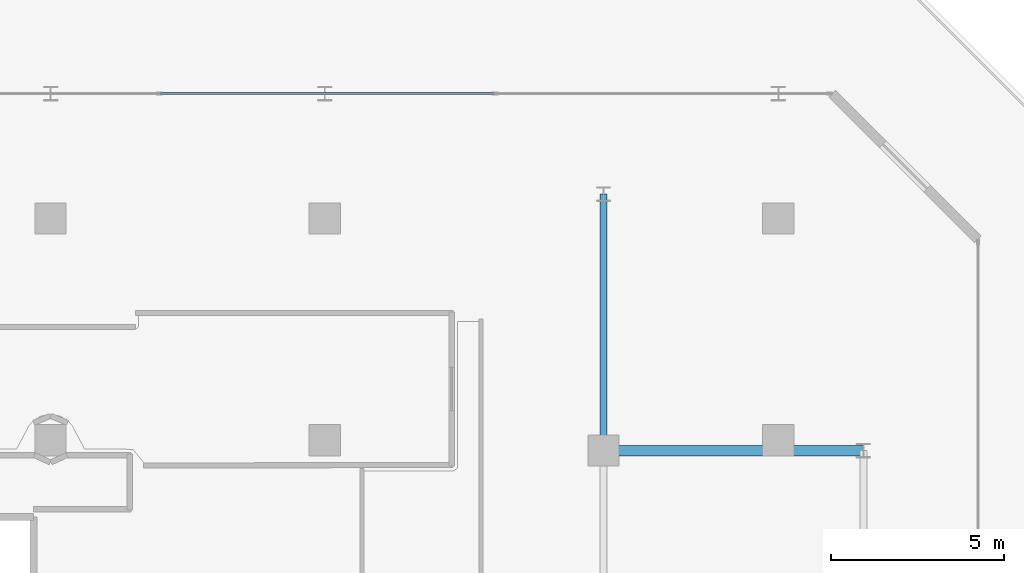
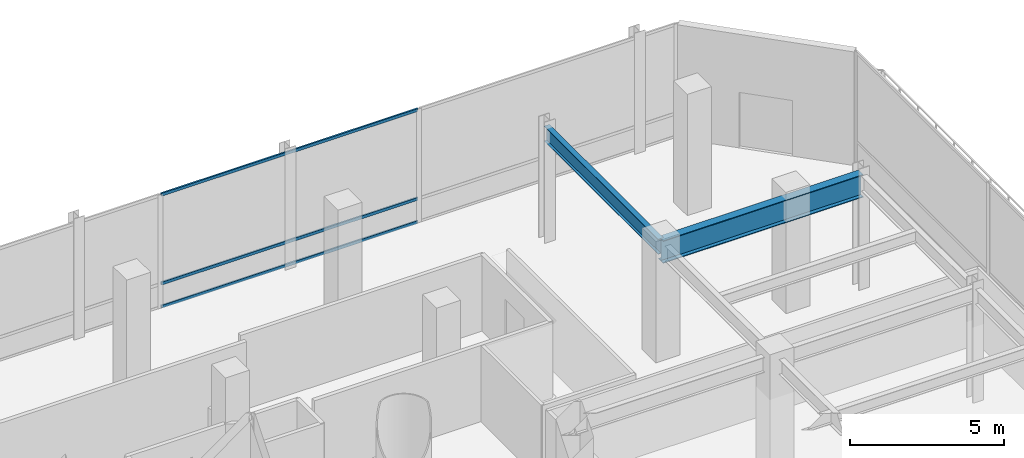
# One storey, part 19 of 39: 3 members, 2 beams, 1 element without a shape of its own.
"""IFC4 building model written with IfcOpenShell, lengths in metres."""

from ifc_helpers import new_model, si_unit, direction, frame, origin, origin_2d, place, context, subcontext, project, spatial, hollow_rectangle, i_section, extrude, material, layer, layer_set, material_profile, profile_set, type_object, element, aggregate, save


model = new_model("IFC4")

# Units and contexts
model_context = context("Model", 3, precision=1e-05, world=origin(), true_north=direction((0.0, 1.0)))
body_context = subcontext(model_context, "Body", "Model", "MODEL_VIEW")
ifc_project = project(units=[si_unit("LENGTHUNIT", "METRE"), si_unit("AREAUNIT", "SQUARE_METRE"), si_unit("VOLUMEUNIT", "CUBIC_METRE"), si_unit("PLANEANGLEUNIT", "RADIAN"), si_unit("MASSUNIT", "GRAM", prefix="KILO")], contexts=[model_context])

# Site, building, storey
site_placement = place(None, origin())
site = spatial("IfcSite", under=ifc_project, at=site_placement, CompositionType="ELEMENT")
building_placement = place(site_placement, origin())
building = spatial("IfcBuilding", under=site, at=building_placement, Name="Qianvela Tower", CompositionType="ELEMENT")
storey_placement = place(building_placement, frame((0.0, 0.0, 15.800048828125)))
storey = spatial("IfcBuildingStorey", under=building, at=storey_placement, Name="L03", CompositionType="ELEMENT", Elevation=15.800048828125)

# Beams
ifc_material_1 = material(Name="Steel Q355B", Category="steel")
ifc_material_profile_1 = material_profile(ifc_material_1, i_section(OverallWidth=0.199951171875, OverallDepth=0.60009765625, WebThickness=0.010986328125, FlangeThickness=0.01708984375, at=origin_2d()), Name="HN600x200x11x17")
ifc_profile_set_1 = profile_set([ifc_material_profile_1], Name="Steel Q355B")
beam_type_1 = type_object("IfcBeamType", Name="BM-HN600-GIRD", PredefinedType="BEAM", material=ifc_profile_set_1)
beam_1_placement = place(storey_placement, frame((60.0, 37.199951171875, 4.197998046875), z_axis=(0.0, 1.0, 0.0), x_axis=(-1.0, 0.0, 0.0)))
element("IfcBeam", 1, at=beam_1_placement, inside=storey, type_object=beam_type_1, Name="L03 North-South Grid Girder 31", PredefinedType="BEAM", context=body_context, shape_type="SweptSolid", body=[
    extrude(i_section(OverallWidth=0.199951171875, OverallDepth=0.60009765625, WebThickness=0.010986328125, FlangeThickness=0.01708984375, at=origin_2d()), origin(), (0.0, 0.0, 1.0), 7.400146484375),
])
ifc_material_2 = material(Name="Steel Q355B", Category="steel")
ifc_material_profile_2 = material_profile(ifc_material_2, i_section(OverallWidth=0.300048828125, OverallDepth=0.89990234375, WebThickness=0.01611328125, FlangeThickness=0.028076171875, at=origin_2d()), Name="HN900x300x16x28")
ifc_profile_set_2 = profile_set([ifc_material_profile_2], Name="Steel Q355B")
beam_type_2 = type_object("IfcBeamType", Name="BM-HN900-SPAND", PredefinedType="SPANDREL", material=ifc_profile_set_2)
beam_2_placement = place(storey_placement, frame((60.0, 37.199951171875, 4.0478515625), z_axis=(1.0, 0.0, 0.0), x_axis=(0.0, 1.0, 0.0)))
element("IfcBeam", 2, at=beam_2_placement, inside=storey, type_object=beam_type_2, Name="L03 East-West Grid Girder 15", PredefinedType="SPANDREL", context=body_context, shape_type="SweptSolid", body=[
    extrude(i_section(OverallWidth=0.300048828125, OverallDepth=0.89990234375, WebThickness=0.01611328125, FlangeThickness=0.028076171875, at=origin_2d()), origin(), (0.0, 0.0, 1.0), 7.5),
])

# Curtain wall, members
ifc_material_3 = material(Name="Anodised Architectural Aluminium and Low-E Glass", Category="aluminium")
ifc_layer = layer(ifc_material_3, 0.179931640625)
ifc_layer_set = layer_set([ifc_layer], Name="Anodised Architectural Aluminium and Low-E Glass")
curtain_wall_type = type_object("IfcCurtainWallType", Name="CW-COMMONS", PredefinedType="USERDEFINED", material=ifc_layer_set)
curtain_wall_placement = place(storey_placement, origin())
curtain_wall = element("IfcCurtainWall", 3, at=curtain_wall_placement, inside=storey, type_object=curtain_wall_type, Name="L03 CW-COMMONS Curtain Wall 05", ObjectType="CURTAIN_WALL_SYSTEM", PredefinedType="USERDEFINED")
ifc_material_4 = material(Name="Anodised Architectural Aluminium 6063-T6", Category="aluminium")
ifc_material_profile_3 = material_profile(ifc_material_4, hollow_rectangle(XDim=0.06005859375, YDim=0.114990234375, WallThickness=0.00390625, at=origin_2d()), Name="ALU-TRAN-60x115")
ifc_profile_set_3 = profile_set([ifc_material_profile_3], Name="Anodised Architectural Aluminium 6063-T6")
member_type = type_object("IfcMemberType", Name="CW-COMMONS-TRAN", PredefinedType="USERDEFINED", material=ifc_profile_set_3)
member_1_placement = place(storey_placement, frame((56.831787109375, 47.5, 0.030029296875), z_axis=(-1.0, 0.0, 0.0), x_axis=(0.0, -1.0, 0.0)))
member_1 = element("IfcMember", 4, at=member_1_placement, type_object=member_type, Name="CW-2 transom 2.1", ObjectType="TRANSOM", PredefinedType="USERDEFINED", context=body_context, shape_type="SweptSolid", body=[
    extrude(hollow_rectangle(XDim=0.06005859375, YDim=0.114990234375, WallThickness=0.00390625, at=origin_2d()), origin(), (0.0, 0.0, 1.0), 9.613525390625),
])
member_2_placement = place(storey_placement, frame((56.831787109375, 47.5, 0.949951171875), z_axis=(-1.0, 0.0, 0.0), x_axis=(0.0, -1.0, 0.0)))
member_2 = element("IfcMember", 5, at=member_2_placement, type_object=member_type, Name="CW-2 transom 2.2", ObjectType="TRANSOM", PredefinedType="USERDEFINED", context=body_context, shape_type="SweptSolid", body=[
    extrude(hollow_rectangle(XDim=0.06005859375, YDim=0.114990234375, WallThickness=0.00390625, at=origin_2d()), origin(), (0.0, 0.0, 1.0), 9.613525390625),
])
member_3_placement = place(storey_placement, frame((56.831787109375, 47.5, 4.469970703125), z_axis=(-1.0, 0.0, 0.0), x_axis=(0.0, -1.0, 0.0)))
member_3 = element("IfcMember", 6, at=member_3_placement, type_object=member_type, Name="CW-2 transom 2.3", ObjectType="TRANSOM", PredefinedType="USERDEFINED", context=body_context, shape_type="SweptSolid", body=[
    extrude(hollow_rectangle(XDim=0.06005859375, YDim=0.114990234375, WallThickness=0.00390625, at=origin_2d()), origin(), (0.0, 0.0, 1.0), 9.613525390625),
])
aggregate(curtain_wall, [member_1, member_2, member_3])

save(model, "model.ifc")
